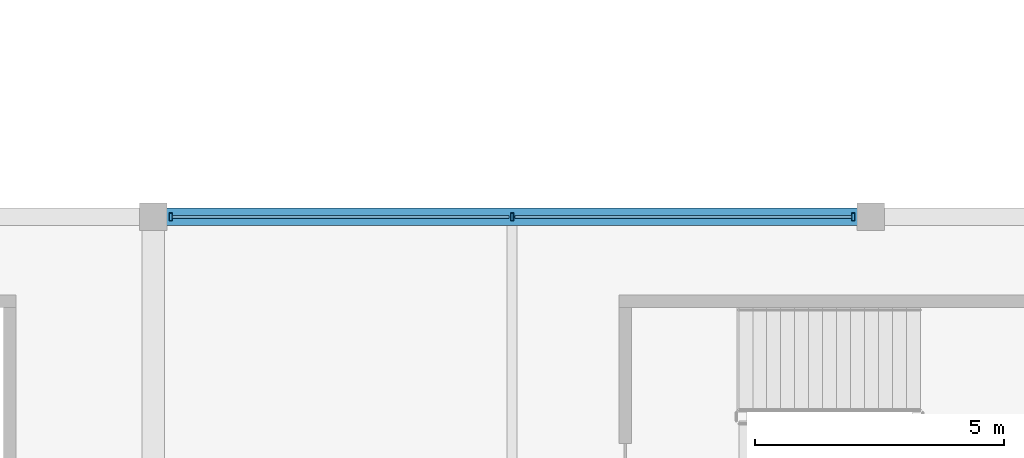
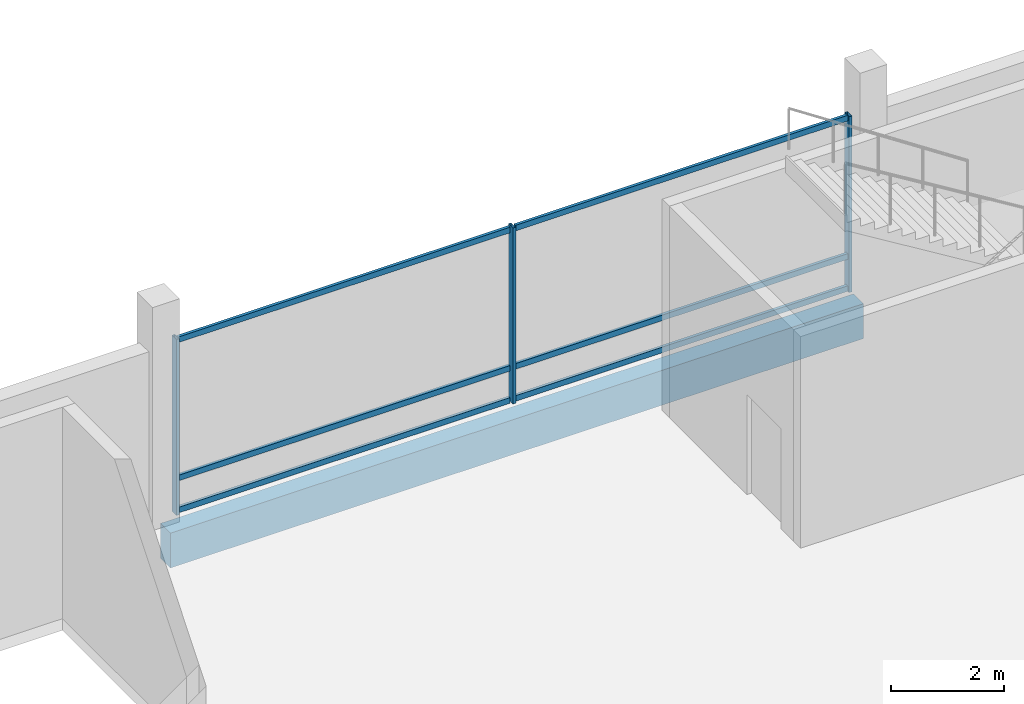
# One storey, part 15 of 116: 9 members, 1 beam, 1 element without a shape of its own.
"""IFC4 building model written with IfcOpenShell, lengths in metres."""

import ifcopenshell
import ifcopenshell.guid

model = None  # the IFC model being written
_history = None  # IfcOwnerHistory: only IFC2X3 demands one
_inside = {}  # id of a spatial element -> (the spatial element, [elements in it])
_under = {}  # id of a project, library or spatial element -> (it, [spatial elements below it])
_declared = {}  # id of a project -> (the project, [libraries it declares])
_typed = {}  # id of a type object -> (the type object, [elements of that type])
_made_of = {}  # id of a material, layer set ... -> (it, [elements and type objects made of it])


def new_model(schema):
    """Start an empty IFC model of exactly this schema.

    Asked for "IFC4X3", IfcOpenShell would pick the latest addendum, in which some entities
    have other attributes; the version numbers below select the first issue.
    IFC2X3 requires an IfcOwnerHistory on every rooted entity: one is made here for all.
    """
    global model, _history
    if schema == "IFC4X3":
        model = ifcopenshell.file(schema_version=(4, 3, 0, 0))
    else:
        model = ifcopenshell.file(schema=schema)
    _inside.clear()
    _under.clear()
    _declared.clear()
    _typed.clear()
    _made_of.clear()
    _history = None
    if model.schema == "IFC2X3":
        org = make("IfcOrganization", Name="unknown")
        user = make(
            "IfcPersonAndOrganization",
            ThePerson=make("IfcPerson", FamilyName="unknown"),
            TheOrganization=org,
        )
        app = make(
            "IfcApplication",
            ApplicationDeveloper=org,
            Version="unknown",
            ApplicationFullName="unknown",
            ApplicationIdentifier="unknown",
        )
        _history = make(
            "IfcOwnerHistory",
            OwningUser=user,
            OwningApplication=app,
            ChangeAction="ADDED",
            CreationDate=0,
        )
    return model


def make(cls, **values):
    """One entity of the class cls with the attributes given. An attribute that is None is left unset."""
    return model.create_entity(
        cls, **{name: value for name, value in values.items() if value is not None}
    )


def rooted(cls, **values):
    """An entity with a GlobalId (a new one), such as an element, a storey or a relation."""
    return make(cls, GlobalId=ifcopenshell.guid.new(), OwnerHistory=_history, **values)


def si_unit(unit_type, name, prefix=None):
    """IfcSIUnit, for example si_unit("LENGTHUNIT", "METRE", prefix="MILLI")."""
    return make("IfcSIUnit", UnitType=unit_type, Prefix=prefix, Name=name)


def assignment(units):
    """IfcUnitAssignment: the units of a project."""
    return None if units is None else make("IfcUnitAssignment", Units=units)


def point(xyz):
    """IfcCartesianPoint."""
    return None if xyz is None else make("IfcCartesianPoint", Coordinates=xyz)


def direction(xyz):
    """IfcDirection."""
    return None if xyz is None else make("IfcDirection", DirectionRatios=xyz)


def frame(location, z_axis=None, x_axis=None):
    """IfcAxis2Placement3D, a coordinate frame: its origin and axes. An axis left out is left unset."""
    return make(
        "IfcAxis2Placement3D",
        Location=point(location),
        Axis=direction(z_axis),
        RefDirection=direction(x_axis),
    )


def frame_2d(location, x_axis=None):
    """IfcAxis2Placement2D, a coordinate frame in the plane: its origin and x axis."""
    return make(
        "IfcAxis2Placement2D", Location=point(location), RefDirection=direction(x_axis)
    )


def origin():
    """The frame at (0, 0, 0) with its axes left unset."""
    return frame((0.0, 0.0, 0.0))


def origin_2d():
    """The frame at (0, 0) in the plane with its x axis left unset."""
    return frame_2d((0.0, 0.0))


def place(relative_to, where):
    """IfcLocalPlacement: puts the frame where relative to a parent placement (None: the world)."""
    return make(
        "IfcLocalPlacement", PlacementRelTo=relative_to, RelativePlacement=where
    )


def context(
    kind, dimensions, precision=None, world=None, true_north=None, identifier=None
):
    """IfcGeometricRepresentationContext, for example the 3D "Model" context."""
    return make(
        "IfcGeometricRepresentationContext",
        ContextIdentifier=identifier,
        ContextType=kind,
        CoordinateSpaceDimension=dimensions,
        Precision=precision,
        WorldCoordinateSystem=world,
        TrueNorth=true_north,
    )


def subcontext(parent, identifier, kind, view, scale=None):
    """IfcGeometricRepresentationSubContext, for example "Body" below "Model"."""
    return make(
        "IfcGeometricRepresentationSubContext",
        ContextIdentifier=identifier,
        ContextType=kind,
        ParentContext=parent,
        TargetScale=scale,
        TargetView=view,
    )


def project(units=None, contexts=None):
    """IfcProject with its units and contexts."""
    return rooted(
        "IfcProject",
        Name="project",
        RepresentationContexts=contexts,
        UnitsInContext=assignment(units),
    )


def spatial(cls, under=None, at=None, **own):
    """A site, building, storey or space (cls), placed at a placement, below another one or the project."""
    s = rooted(cls, ObjectPlacement=at, **own)
    if under is not None:
        _under.setdefault(under.id(), (under, []))[1].append(s)
    return s


def profile(cls, at=None, kind="AREA", **sizes):
    """A parametric profile (cls). Its sizes go by their IFC names, for example OverallWidth=200.0."""
    return make(cls, ProfileType=kind, Position=at, **sizes)


def rectangle(**sizes):
    """IfcRectangleProfileDef."""
    return profile("IfcRectangleProfileDef", **sizes)


def hollow_rectangle(**sizes):
    """IfcRectangleHollowProfileDef."""
    return profile("IfcRectangleHollowProfileDef", **sizes)


def extrude(swept, where, along, depth):
    """IfcExtrudedAreaSolid: the profile swept, set in the frame where, extruded along a direction by depth."""
    return make(
        "IfcExtrudedAreaSolid",
        SweptArea=swept,
        Position=where,
        ExtrudedDirection=direction(along),
        Depth=depth,
    )


def shape(context_of_items, identifier, shape_type, items):
    """IfcShapeRepresentation: the items that make up one representation, for example the "Body"."""
    return make(
        "IfcShapeRepresentation",
        ContextOfItems=context_of_items,
        RepresentationIdentifier=identifier,
        RepresentationType=shape_type,
        Items=items,
    )


def material(Name=None, Category=None):
    """IfcMaterial."""
    return make("IfcMaterial", Name=Name, Category=Category)


def material_profile(
    of_material, cross_section, Name=None, Category=None, Priority=None
):
    """IfcMaterialProfile: a cross section and its material."""
    return make(
        "IfcMaterialProfile",
        Name=Name,
        Material=of_material,
        Profile=cross_section,
        Priority=Priority,
        Category=Category,
    )


def profile_set(profiles, Name=None, composite=None):
    """IfcMaterialProfileSet."""
    return make(
        "IfcMaterialProfileSet",
        Name=Name,
        MaterialProfiles=profiles,
        CompositeProfile=composite,
    )


def made_of(thing, what):
    """Note that an element or type object is made of a material, layer set ...; save() writes the relation."""
    if what is not None:
        _made_of.setdefault(what.id(), (what, []))[1].append(thing)
    return thing


def type_object(cls, material=None, **own):
    """A type object (cls), such as IfcWallType, which elements share."""
    return made_of(rooted(cls, **own), material)


def element(
    cls,
    number,
    at=None,
    inside=None,
    cuts=None,
    type_object=None,
    material=None,
    context=None,
    identifier="Body",
    shape_type=None,
    held_by="IfcProductDefinitionShape",
    body=None,
    shapes=None,
    **own,
):
    """One element of the class cls, such as IfcWall. Its Tag is "e" and its number.

    at: its placement. inside: the storey or other place that contains it. cuts: it is an
    opening in that element (IfcRelVoidsElement). A single representation is given by context,
    identifier, shape_type and body (its items); several are given by shapes. held_by: the class
    of the entity that holds the representations. save() writes the other relations.
    """
    e = rooted(cls, Tag="e%d" % number, ObjectPlacement=at, **own)
    if body is not None:
        shapes = [shape(context, identifier, shape_type, body)]
    if shapes is not None:
        e.Representation = make(held_by, Representations=shapes)
    if inside is not None:
        _inside.setdefault(inside.id(), (inside, []))[1].append(e)
    if cuts is not None:
        rooted(
            "IfcRelVoidsElement", RelatingBuildingElement=cuts, RelatedOpeningElement=e
        )
    if type_object is not None:
        _typed.setdefault(type_object.id(), (type_object, []))[1].append(e)
    return made_of(e, material)


def aggregate(whole, parts):
    """IfcRelAggregates: a whole, such as a stair, and the parts it consists of."""
    return rooted("IfcRelAggregates", RelatingObject=whole, RelatedObjects=parts)


def save(model, path):
    """Write the relations noted so far, then the file.

    IfcRelAggregates (storeys below a building ...), IfcRelContainedInSpatialStructure (elements
    in a storey), IfcRelDefinesByType, IfcRelAssociatesMaterial and IfcRelDeclares: one each for
    every whole, place, type object, material and project.
    """
    for whole, parts in _under.values():
        aggregate(whole, parts)
    for where, things in _inside.values():
        rooted(
            "IfcRelContainedInSpatialStructure",
            RelatedElements=things,
            RelatingStructure=where,
        )
    for kind, things in _typed.values():
        rooted("IfcRelDefinesByType", RelatedObjects=things, RelatingType=kind)
    for what, things in _made_of.values():
        rooted("IfcRelAssociatesMaterial", RelatedObjects=things, RelatingMaterial=what)
    for by, libraries in _declared.values():
        rooted("IfcRelDeclares", RelatingContext=by, RelatedDefinitions=libraries)
    model.write(path)


model = new_model("IFC4")

# Units and contexts
model_context = context("Model", 3, precision=1e-05, world=origin(), true_north=direction((0.0, 1.0)))
body_context = subcontext(model_context, "Body", "Model", "MODEL_VIEW")
ifc_project = project(units=[si_unit("LENGTHUNIT", "METRE"), si_unit("AREAUNIT", "SQUARE_METRE"), si_unit("VOLUMEUNIT", "CUBIC_METRE"), si_unit("PLANEANGLEUNIT", "RADIAN"), si_unit("MASSUNIT", "GRAM", prefix="KILO")], contexts=[model_context])

# Site, building, storey
site_placement = place(None, origin())
site = spatial("IfcSite", under=ifc_project, at=site_placement, CompositionType="ELEMENT")
building_placement = place(site_placement, origin())
building = spatial("IfcBuilding", under=site, at=building_placement, Name="Cendralis Lancet Convention Centre", CompositionType="ELEMENT")
storey_placement = place(building_placement, frame((0.0, 0.0, 15.0)))
storey = spatial("IfcBuildingStorey", under=building, at=storey_placement, Name="L03", CompositionType="ELEMENT", Elevation=15.0)

# Curtain wall, members
ifc_material_1 = material(Name="Anodised bronze architectural aluminium", Category="aluminium")
curtain_wall_type = type_object("IfcCurtainWallType", Name="ARC-CW-CL02", PredefinedType="USERDEFINED", material=ifc_material_1)
curtain_wall_placement = place(storey_placement, origin())
curtain_wall = element("IfcCurtainWall", 1, at=curtain_wall_placement, inside=storey, type_object=curtain_wall_type, Name="L03 Curtain Wall CW-CL2 #175", ObjectType="CURTAIN WALL", PredefinedType="USERDEFINED")
ifc_material_profile_1 = material_profile(ifc_material_1, hollow_rectangle(XDim=0.06005859375, YDim=0.159912109375, WallThickness=0.00390625, at=origin_2d()), Name="AL-MULL 60x160x4.0")
ifc_profile_set_1 = profile_set([ifc_material_profile_1], Name="Anodised bronze architectural aluminium")
member_type_1 = type_object("IfcMemberType", Name="ARC-CW-ML01", PredefinedType="MULLION", material=ifc_profile_set_1)
member_1_placement = place(storey_placement, frame((14.7548828125, 36.0, 0.0), z_axis=(0.0, 0.0, 1.0), x_axis=(1.0, 0.0, 0.0)))
member_1 = element("IfcMember", 2, at=member_1_placement, type_object=member_type_1, Name="Mullion CW2-CW-CL2-L03-175-M0", PredefinedType="MULLION", context=body_context, shape_type="SweptSolid", body=[
    extrude(hollow_rectangle(XDim=0.06005859375, YDim=0.159912109375, WallThickness=0.00390625, at=origin_2d()), origin(), (0.0, 0.0, 1.0), 3.784912109375),
])
member_2_placement = place(storey_placement, frame((21.60009765625, 36.0, 0.0), z_axis=(0.0, 0.0, 1.0), x_axis=(1.0, 0.0, 0.0)))
member_2 = element("IfcMember", 3, at=member_2_placement, type_object=member_type_1, Name="Mullion CW2-CW-CL2-L03-175-M1", PredefinedType="MULLION", context=body_context, shape_type="SweptSolid", body=[
    extrude(hollow_rectangle(XDim=0.06005859375, YDim=0.159912109375, WallThickness=0.00390625, at=origin_2d()), origin(), (0.0, 0.0, 1.0), 3.784912109375),
])
member_3_placement = place(storey_placement, frame((28.445068359375, 36.0, 0.0), z_axis=(0.0, 0.0, 1.0), x_axis=(1.0, 0.0, 0.0)))
member_3 = element("IfcMember", 4, at=member_3_placement, type_object=member_type_1, Name="Mullion CW2-CW-CL2-L03-175-M2", PredefinedType="MULLION", context=body_context, shape_type="SweptSolid", body=[
    extrude(hollow_rectangle(XDim=0.06005859375, YDim=0.159912109375, WallThickness=0.00390625, at=origin_2d()), origin(), (0.0, 0.0, 1.0), 3.784912109375),
])
ifc_material_profile_2 = material_profile(ifc_material_1, hollow_rectangle(XDim=0.06005859375, YDim=0.1201171875, WallThickness=0.00390625, at=origin_2d()), Name="AL-TRAN 60x120x4.0")
ifc_profile_set_2 = profile_set([ifc_material_profile_2], Name="Anodised bronze architectural aluminium")
member_type_2 = type_object("IfcMemberType", Name="ARC-CW-TR01", PredefinedType="USERDEFINED", material=ifc_profile_set_2)
member_4_placement = place(storey_placement, frame((14.784912109375, 36.0, 0.06005859375), z_axis=(1.0, 0.0, 0.0), x_axis=(0.0, 1.0, 0.0)))
member_4 = element("IfcMember", 5, at=member_4_placement, type_object=member_type_2, Name="Transom CW2-CW-CL2-L03-175-T0BOT", ObjectType="TRANSOM", PredefinedType="USERDEFINED", context=body_context, shape_type="SweptSolid", body=[
    extrude(hollow_rectangle(XDim=0.06005859375, YDim=0.1201171875, WallThickness=0.00390625, at=origin_2d()), origin(), (0.0, 0.0, 1.0), 6.755126953125),
])
member_5_placement = place(storey_placement, frame((14.784912109375, 36.0, 0.75), z_axis=(1.0, 0.0, 0.0), x_axis=(0.0, 1.0, 0.0)))
member_5 = element("IfcMember", 6, at=member_5_placement, type_object=member_type_2, Name="Transom CW2-CW-CL2-L03-175-T0MID", ObjectType="TRANSOM", PredefinedType="USERDEFINED", context=body_context, shape_type="SweptSolid", body=[
    extrude(hollow_rectangle(XDim=0.06005859375, YDim=0.1201171875, WallThickness=0.00390625, at=origin_2d()), origin(), (0.0, 0.0, 1.0), 6.755126953125),
])
member_6_placement = place(storey_placement, frame((14.784912109375, 36.0, 3.72509765625), z_axis=(1.0, 0.0, 0.0), x_axis=(0.0, 1.0, 0.0)))
member_6 = element("IfcMember", 7, at=member_6_placement, type_object=member_type_2, Name="Transom CW2-CW-CL2-L03-175-T0TOP", ObjectType="TRANSOM", PredefinedType="USERDEFINED", context=body_context, shape_type="SweptSolid", body=[
    extrude(hollow_rectangle(XDim=0.06005859375, YDim=0.1201171875, WallThickness=0.00390625, at=origin_2d()), origin(), (0.0, 0.0, 1.0), 6.755126953125),
])
member_7_placement = place(storey_placement, frame((21.659912109375, 36.0, 0.06005859375), z_axis=(1.0, 0.0, 0.0), x_axis=(0.0, 1.0, 0.0)))
member_7 = element("IfcMember", 8, at=member_7_placement, type_object=member_type_2, Name="Transom CW2-CW-CL2-L03-175-T1BOT", ObjectType="TRANSOM", PredefinedType="USERDEFINED", context=body_context, shape_type="SweptSolid", body=[
    extrude(hollow_rectangle(XDim=0.06005859375, YDim=0.1201171875, WallThickness=0.00390625, at=origin_2d()), origin(), (0.0, 0.0, 1.0), 6.755126953125),
])
member_8_placement = place(storey_placement, frame((21.659912109375, 36.0, 0.75), z_axis=(1.0, 0.0, 0.0), x_axis=(0.0, 1.0, 0.0)))
member_8 = element("IfcMember", 9, at=member_8_placement, type_object=member_type_2, Name="Transom CW2-CW-CL2-L03-175-T1MID", ObjectType="TRANSOM", PredefinedType="USERDEFINED", context=body_context, shape_type="SweptSolid", body=[
    extrude(hollow_rectangle(XDim=0.06005859375, YDim=0.1201171875, WallThickness=0.00390625, at=origin_2d()), origin(), (0.0, 0.0, 1.0), 6.755126953125),
])
member_9_placement = place(storey_placement, frame((21.659912109375, 36.0, 3.72509765625), z_axis=(1.0, 0.0, 0.0), x_axis=(0.0, 1.0, 0.0)))
member_9 = element("IfcMember", 10, at=member_9_placement, type_object=member_type_2, Name="Transom CW2-CW-CL2-L03-175-T1TOP", ObjectType="TRANSOM", PredefinedType="USERDEFINED", context=body_context, shape_type="SweptSolid", body=[
    extrude(hollow_rectangle(XDim=0.06005859375, YDim=0.1201171875, WallThickness=0.00390625, at=origin_2d()), origin(), (0.0, 0.0, 1.0), 6.755126953125),
])
aggregate(curtain_wall, [member_1, member_2, member_3, member_4, member_5, member_6, member_7, member_8, member_9])

# Beam
ifc_material_2 = material(Name="Concrete G40 (C40/50)", Category="concrete")
ifc_material_profile_3 = material_profile(ifc_material_2, rectangle(XDim=0.35009765625, YDim=0.75, at=origin_2d()), Name="RCB 350x750")
ifc_profile_set_3 = profile_set([ifc_material_profile_3], Name="Concrete G40 (C40/50)")
beam_type = type_object("IfcBeamType", Name="STR-SP-SP01", PredefinedType="SPANDREL", material=ifc_profile_set_3)
beam_placement = place(storey_placement, frame((14.550048828125, 36.0, -0.635009765625), z_axis=(1.0, 0.0, 0.0), x_axis=(0.0, 1.0, 0.0)))
element("IfcBeam", 11, at=beam_placement, inside=storey, type_object=beam_type, Name="L03 Beam SP01 #0923", PredefinedType="SPANDREL", context=body_context, shape_type="SweptSolid", body=[
    extrude(rectangle(XDim=0.35009765625, YDim=0.75, at=origin_2d()), origin(), (0.0, 0.0, 1.0), 14.099853515625),
])

save(model, "model.ifc")
